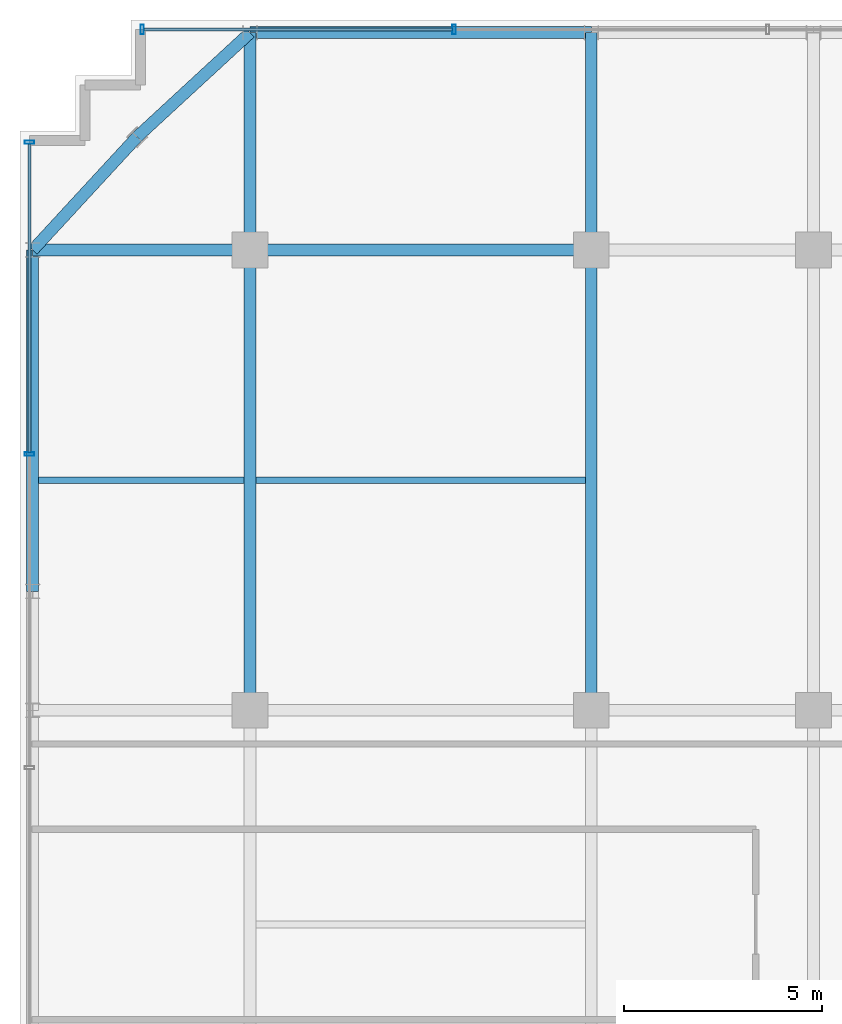
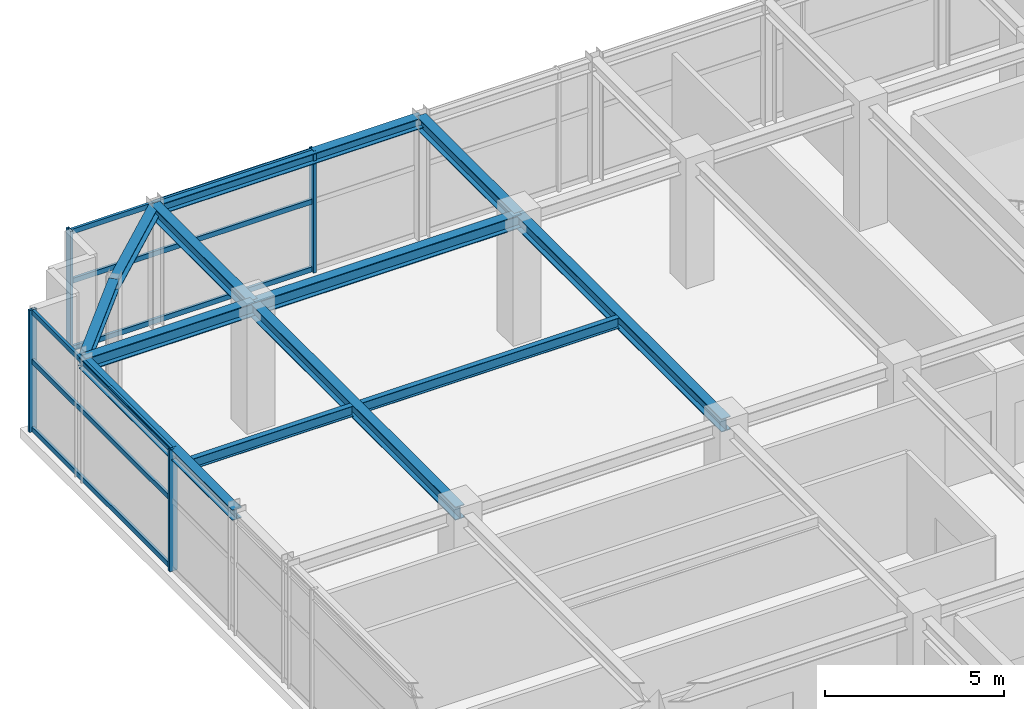
# One storey, part 12 of 20: 12 beams, 10 members, 2 elements without a shape of their own.
"""IFC4 building model written with IfcOpenShell, lengths in metres."""

from ifc_helpers import new_model, si_unit, direction, frame, origin, origin_2d, place, context, subcontext, project, spatial, hollow_rectangle, i_section, extrude, source, transform, mapped, material, material_profile, profile_set, type_object, element, aggregate, save


model = new_model("IFC4")

# Units and contexts
model_context = context("Model", 3, precision=1e-05, world=origin(), true_north=direction((0.0, 1.0)))
body_context = subcontext(model_context, "Body", "Model", "MODEL_VIEW")
ifc_project = project(units=[si_unit("LENGTHUNIT", "METRE"), si_unit("AREAUNIT", "SQUARE_METRE"), si_unit("VOLUMEUNIT", "CUBIC_METRE"), si_unit("PLANEANGLEUNIT", "RADIAN"), si_unit("MASSUNIT", "GRAM", prefix="KILO")], contexts=[model_context])

# Site, building, storey
site_placement = place(None, origin())
site = spatial("IfcSite", under=ifc_project, at=site_placement, CompositionType="ELEMENT")
building_placement = place(site_placement, origin())
building = spatial("IfcBuilding", under=site, at=building_placement, Name="Nahalor Promenade Grand Hotel", CompositionType="ELEMENT")
storey_placement = place(building_placement, frame((0.0, 0.0, 347.550048828125)))
storey = spatial("IfcBuildingStorey", under=building, at=storey_placement, Name="L89", CompositionType="ELEMENT", Elevation=347.550048828125)

# Beams
ifc_material_1 = material(Name="Steel S355JR", Category="steel")
ifc_material_profile_1 = material_profile(ifc_material_1, i_section(OverallWidth=0.3, OverallDepth=0.45, WebThickness=0.014, FlangeThickness=0.026, at=origin_2d()), Name="HEB 450")
ifc_profile_set_1 = profile_set([ifc_material_profile_1], Name="Steel S355JR")
beam_type_1 = type_object("IfcBeamType", Name="Beam-Girder-HEB450", PredefinedType="BEAM", material=ifc_profile_set_1)
shared_shape_1 = source(origin(), body_context, "Body", "SweptSolid", [
    extrude(i_section(OverallWidth=0.3, OverallDepth=0.45, WebThickness=0.014, FlangeThickness=0.026, at=origin_2d()), origin(), (0.0, 0.0, 1.0), 8.60009765625),
])
beam_1_placement = place(storey_placement, frame((-17.0, 17.0, 3.945068359375), z_axis=(1.0, 0.0, 0.0), x_axis=(0.0, 1.0, 0.0)))
element("IfcBeam", 1, at=beam_1_placement, inside=storey, type_object=beam_type_1, Name="BM-L89-GX-3-1", PredefinedType="BEAM", context=body_context, shape_type="MappedRepresentation", body=[
    mapped(shared_shape_1, transform((0.0, 0.0, 0.0), scale=1.0)),
])
shared_shape_2 = source(origin(), body_context, "Body", "SweptSolid", [
    extrude(i_section(OverallWidth=0.3, OverallDepth=0.45, WebThickness=0.014, FlangeThickness=0.026, at=origin_2d()), origin(), (0.0, 0.0, 1.0), 11.60009765625),
])
for number, where, z_axis, x_axis, name in (
    (2, (-17.0, 5.39990234375, 3.945068359375), (0.0, 1.0, 0.0), (-1.0, 0.0, 0.0), "BM-L89-GY-0-3"),
    (3, (-8.39990234375, 5.39990234375, 3.945068359375), (0.0, 1.0, 0.0), (-1.0, 0.0, 0.0), "BM-L89-GY-1-3"),
):
    element("IfcBeam", number, at=place(storey_placement, frame(where, z_axis=z_axis, x_axis=x_axis)), inside=storey, type_object=beam_type_1, Name=name, PredefinedType="BEAM", context=body_context, shape_type="MappedRepresentation", body=[
        mapped(shared_shape_2, transform((0.0, 0.0, 0.0), scale=1.0)),
    ])
shared_shape_3 = source(origin(), body_context, "Body", "SweptSolid", [
    extrude(i_section(OverallWidth=0.3, OverallDepth=0.45, WebThickness=0.014, FlangeThickness=0.026, at=origin_2d()), origin(), (0.0, 0.0, 1.0), 5.47998046875),
])
for number, where, z_axis, x_axis, name in (
    (4, (-22.47998046875, 17.0, 3.945068359375), (1.0, 0.0, 0.0), (0.0, 1.0, 0.0), "BM-L89-GX-3-0"),
    (5, (-17.0, 17.0, 3.945068359375), (0.0, 1.0, 0.0), (-1.0, 0.0, 0.0), "BM-L89-GY-0-4"),
    (6, (-8.39990234375, 17.0, 3.945068359375), (0.0, 1.0, 0.0), (-1.0, 0.0, 0.0), "BM-L89-GY-1-4"),
):
    element("IfcBeam", number, at=place(storey_placement, frame(where, z_axis=z_axis, x_axis=x_axis)), inside=storey, type_object=beam_type_1, Name=name, PredefinedType="BEAM", context=body_context, shape_type="MappedRepresentation", body=[
        mapped(shared_shape_3, transform((0.0, 0.0, 0.0), scale=1.0)),
    ])
ifc_material_profile_2 = material_profile(ifc_material_1, i_section(OverallWidth=0.3, OverallDepth=0.36, WebThickness=0.0125, FlangeThickness=0.0225, at=origin_2d()), Name="HEB 360")
ifc_profile_set_2 = profile_set([ifc_material_profile_2], Name="Steel S355JR")
beam_type_2 = type_object("IfcBeamType", Name="Beam-Spandrel-HEB360", PredefinedType="SPANDREL", material=ifc_profile_set_2)
shared_shape_4 = source(origin(), body_context, "Body", "SweptSolid", [
    extrude(i_section(OverallWidth=0.3, OverallDepth=0.36, WebThickness=0.0125, FlangeThickness=0.0225, at=origin_2d()), origin(), (0.0, 0.0, 1.0), 8.60009765625),
])
for number, where, z_axis, x_axis, name in (
    (7, (-17.0, 22.47998046875, 3.989990234375), (1.0, 0.0, 0.0), (0.0, 1.0, 0.0), "BM-L89-SP-N-0"),
    (8, (-22.47998046875, 8.39990234375, 3.989990234375), (0.0, 1.0, 0.0), (-1.0, 0.0, 0.0), "BM-L89-SP-W-4"),
):
    element("IfcBeam", number, at=place(storey_placement, frame(where, z_axis=z_axis, x_axis=x_axis)), inside=storey, type_object=beam_type_2, Name=name, PredefinedType="SPANDREL", context=body_context, shape_type="MappedRepresentation", body=[
        mapped(shared_shape_4, transform((0.0, 0.0, 0.0), scale=1.0)),
    ])
shared_shape_5 = source(origin(), body_context, "Body", "SweptSolid", [
    extrude(i_section(OverallWidth=0.3, OverallDepth=0.36, WebThickness=0.0125, FlangeThickness=0.0225, at=origin_2d()), origin(), (0.0, 0.0, 1.0), 3.878173828125),
])
for number, where, z_axis, x_axis, name in (
    (9, (-17.0, 22.47998046875, 3.989990234375), (-0.73492893846, -0.678144125843, 0.0), (0.678144125843, -0.73492893846, 0.0), "BM-L89-SPC-NW-1"),
    (10, (-19.85009765625, 19.85009765625, 3.989990234375), (-0.678144125843, -0.73492893846, 0.0), (0.73492893846, -0.678144125843, 0.0), "BM-L89-SPC-NW-2"),
):
    element("IfcBeam", number, at=place(storey_placement, frame(where, z_axis=z_axis, x_axis=x_axis)), inside=storey, type_object=beam_type_2, Name=name, PredefinedType="SPANDREL", context=body_context, shape_type="MappedRepresentation", body=[
        mapped(shared_shape_5, transform((0.0, 0.0, 0.0), scale=1.0)),
    ])
ifc_material_profile_3 = material_profile(ifc_material_1, i_section(OverallWidth=0.17, OverallDepth=0.36, WebThickness=0.008, FlangeThickness=0.0127, at=origin_2d()), Name="IPE 360")
ifc_profile_set_3 = profile_set([ifc_material_profile_3], Name="Steel S355JR")
beam_type_3 = type_object("IfcBeamType", Name="Beam-Joist-IPE360", PredefinedType="JOIST", material=ifc_profile_set_3)
shared_shape_6 = source(origin(), body_context, "Body", "SweptSolid", [
    extrude(i_section(OverallWidth=0.17, OverallDepth=0.36, WebThickness=0.008, FlangeThickness=0.0127, at=origin_2d()), origin(), (0.0, 0.0, 1.0), 5.18017578125),
])
beam_2_placement = place(storey_placement, frame((-22.330078125, 11.199951171875, 3.989990234375), z_axis=(1.0, 0.0, 0.0), x_axis=(0.0, 1.0, 0.0)))
element("IfcBeam", 11, at=beam_2_placement, inside=storey, type_object=beam_type_3, Name="BM-L89-JSW-1-0", PredefinedType="JOIST", context=body_context, shape_type="MappedRepresentation", body=[
    mapped(shared_shape_6, transform((0.0, 0.0, 0.0), scale=1.0)),
])
shared_shape_7 = source(origin(), body_context, "Body", "SweptSolid", [
    extrude(i_section(OverallWidth=0.17, OverallDepth=0.36, WebThickness=0.008, FlangeThickness=0.0127, at=origin_2d()), origin(), (0.0, 0.0, 1.0), 8.300048828125),
])
beam_3_placement = place(storey_placement, frame((-16.85009765625, 11.199951171875, 3.989990234375), z_axis=(1.0, 0.0, 0.0), x_axis=(0.0, 1.0, 0.0)))
element("IfcBeam", 12, at=beam_3_placement, inside=storey, type_object=beam_type_3, Name="BM-L89-JSW-1-1", PredefinedType="JOIST", context=body_context, shape_type="MappedRepresentation", body=[
    mapped(shared_shape_7, transform((0.0, 0.0, 0.0), scale=1.0)),
])

# Curtain wall, members
ifc_material_2 = material(Name="Anodised Bronze Aluminium EN AW-6063 T6", Category="aluminium")
curtain_wall_type = type_object("IfcCurtainWallType", Name="CW5 Sky-Lobby & Observation Panoramic Curtain Wall", PredefinedType="USERDEFINED", material=ifc_material_2)
curtain_wall_1_placement = place(storey_placement, origin())
curtain_wall_1 = element("IfcCurtainWall", 13, at=curtain_wall_1_placement, inside=storey, type_object=curtain_wall_type, Name="L89 Curtain Wall CW-L89-N-1", ObjectType="UNITISED_CURTAIN_WALL", PredefinedType="USERDEFINED")
ifc_material_profile_4 = material_profile(ifc_material_2, hollow_rectangle(XDim=0.085, YDim=0.25, WallThickness=0.006, at=origin_2d()), Name="CWM 85x250x6")
ifc_profile_set_4 = profile_set([ifc_material_profile_4], Name="Anodised Bronze Aluminium EN AW-6063 T6")
member_type_1 = type_object("IfcMemberType", Name="CWM5 Panoramic Deep Mullion 85x250", PredefinedType="MULLION", material=ifc_profile_set_4)
shared_shape_8 = source(origin(), body_context, "Body", "SweptSolid", [
    extrude(hollow_rectangle(XDim=0.085, YDim=0.25, WallThickness=0.006, at=origin_2d()), origin(), (0.0, 0.0, 1.0), 4.169921875),
])
member_1_placement = place(storey_placement, frame((-19.717529296875, 22.56005859375, 0.0), z_axis=(0.0, 0.0, 1.0), x_axis=(1.0, 0.0, 0.0)))
member_1 = element("IfcMember", 14, at=member_1_placement, type_object=member_type_1, Name="CW-L89-N-1 Mullion 0", PredefinedType="MULLION", context=body_context, shape_type="MappedRepresentation", body=[
    mapped(shared_shape_8, transform((0.0, 0.0, 0.0), scale=1.0)),
])
member_2_placement = place(storey_placement, frame((-11.85595703125, 22.56005859375, 0.0), z_axis=(0.0, 0.0, 1.0), x_axis=(1.0, 0.0, 0.0)))
member_2 = element("IfcMember", 15, at=member_2_placement, type_object=member_type_1, Name="CW-L89-N-1 Mullion 1", PredefinedType="MULLION", context=body_context, shape_type="MappedRepresentation", body=[
    mapped(shared_shape_8, transform((0.0, 0.0, 0.0), scale=1.0)),
])

curtain_wall_2_placement = place(storey_placement, origin())
curtain_wall_2 = element("IfcCurtainWall", 16, at=curtain_wall_2_placement, inside=storey, type_object=curtain_wall_type, Name="L89 Curtain Wall CW-L89-W-1", ObjectType="UNITISED_CURTAIN_WALL", PredefinedType="USERDEFINED")
member_3_placement = place(storey_placement, frame((-22.56005859375, 11.85595703125, 0.0), z_axis=(0.0, 0.0, 1.0), x_axis=(0.0, 1.0, 0.0)))
member_3 = element("IfcMember", 17, at=member_3_placement, type_object=member_type_1, Name="CW-L89-W-1 Mullion 4", PredefinedType="MULLION", context=body_context, shape_type="MappedRepresentation", body=[
    mapped(shared_shape_8, transform((0.0, 0.0, 0.0), scale=1.0)),
])
member_4_placement = place(storey_placement, frame((-22.56005859375, 19.717529296875, 0.0), z_axis=(0.0, 0.0, 1.0), x_axis=(0.0, 1.0, 0.0)))
member_4 = element("IfcMember", 18, at=member_4_placement, type_object=member_type_1, Name="CW-L89-W-1 Mullion 5", PredefinedType="MULLION", context=body_context, shape_type="MappedRepresentation", body=[
    mapped(shared_shape_8, transform((0.0, 0.0, 0.0), scale=1.0)),
])

# Member
ifc_material_profile_5 = material_profile(ifc_material_2, hollow_rectangle(XDim=0.085, YDim=0.17, WallThickness=0.005, at=origin_2d()), Name="CWT 85x170x5")
ifc_profile_set_5 = profile_set([ifc_material_profile_5], Name="Anodised Bronze Aluminium EN AW-6063 T6")
member_type_2 = type_object("IfcMemberType", Name="CWT5 Panoramic Transom 85x170", PredefinedType="USERDEFINED", material=ifc_profile_set_5)
shared_shape_9 = source(origin(), body_context, "Body", "SweptSolid", [
    extrude(hollow_rectangle(XDim=0.085, YDim=0.17, WallThickness=0.005, at=origin_2d()), origin(), (0.0, 0.0, 1.0), 7.776611328125),
])
member_5_placement = place(storey_placement, frame((-19.675048828125, 22.56005859375, 0.0849609375), z_axis=(1.0, 0.0, 0.0), x_axis=(0.0, 1.0, 0.0)))
member_5 = element("IfcMember", 19, at=member_5_placement, type_object=member_type_2, Name="CW-L89-N-1 Transom 0-0", ObjectType="TRANSOM", PredefinedType="USERDEFINED", context=body_context, shape_type="MappedRepresentation", body=[
    mapped(shared_shape_9, transform((0.0, 0.0, 0.0), scale=1.0)),
])

member_6_placement = place(storey_placement, frame((-19.675048828125, 22.56005859375, 2.39990234375), z_axis=(1.0, 0.0, 0.0), x_axis=(0.0, 1.0, 0.0)))
member_6 = element("IfcMember", 20, at=member_6_placement, type_object=member_type_2, Name="CW-L89-N-1 Transom 0-1", ObjectType="TRANSOM", PredefinedType="USERDEFINED", context=body_context, shape_type="MappedRepresentation", body=[
    mapped(shared_shape_9, transform((0.0, 0.0, 0.0), scale=1.0)),
])

member_7_placement = place(storey_placement, frame((-19.675048828125, 22.56005859375, 4.0849609375), z_axis=(1.0, 0.0, 0.0), x_axis=(0.0, 1.0, 0.0)))
member_7 = element("IfcMember", 21, at=member_7_placement, type_object=member_type_2, Name="CW-L89-N-1 Transom 0-2", ObjectType="TRANSOM", PredefinedType="USERDEFINED", context=body_context, shape_type="MappedRepresentation", body=[
    mapped(shared_shape_9, transform((0.0, 0.0, 0.0), scale=1.0)),
])

aggregate(curtain_wall_1, [member_1, member_2, member_5, member_6, member_7])

member_8_placement = place(storey_placement, frame((-22.56005859375, 11.8984375, 0.0849609375), z_axis=(0.0, 1.0, 0.0), x_axis=(-1.0, 0.0, 0.0)))
member_8 = element("IfcMember", 22, at=member_8_placement, type_object=member_type_2, Name="CW-L89-W-1 Transom 4-0", ObjectType="TRANSOM", PredefinedType="USERDEFINED", context=body_context, shape_type="MappedRepresentation", body=[
    mapped(shared_shape_9, transform((0.0, 0.0, 0.0), scale=1.0)),
])

member_9_placement = place(storey_placement, frame((-22.56005859375, 11.8984375, 2.39990234375), z_axis=(0.0, 1.0, 0.0), x_axis=(-1.0, 0.0, 0.0)))
member_9 = element("IfcMember", 23, at=member_9_placement, type_object=member_type_2, Name="CW-L89-W-1 Transom 4-1", ObjectType="TRANSOM", PredefinedType="USERDEFINED", context=body_context, shape_type="MappedRepresentation", body=[
    mapped(shared_shape_9, transform((0.0, 0.0, 0.0), scale=1.0)),
])

member_10_placement = place(storey_placement, frame((-22.56005859375, 11.8984375, 4.0849609375), z_axis=(0.0, 1.0, 0.0), x_axis=(-1.0, 0.0, 0.0)))
member_10 = element("IfcMember", 24, at=member_10_placement, type_object=member_type_2, Name="CW-L89-W-1 Transom 4-2", ObjectType="TRANSOM", PredefinedType="USERDEFINED", context=body_context, shape_type="MappedRepresentation", body=[
    mapped(shared_shape_9, transform((0.0, 0.0, 0.0), scale=1.0)),
])

aggregate(curtain_wall_2, [member_3, member_4, member_8, member_9, member_10])

save(model, "model.ifc")
